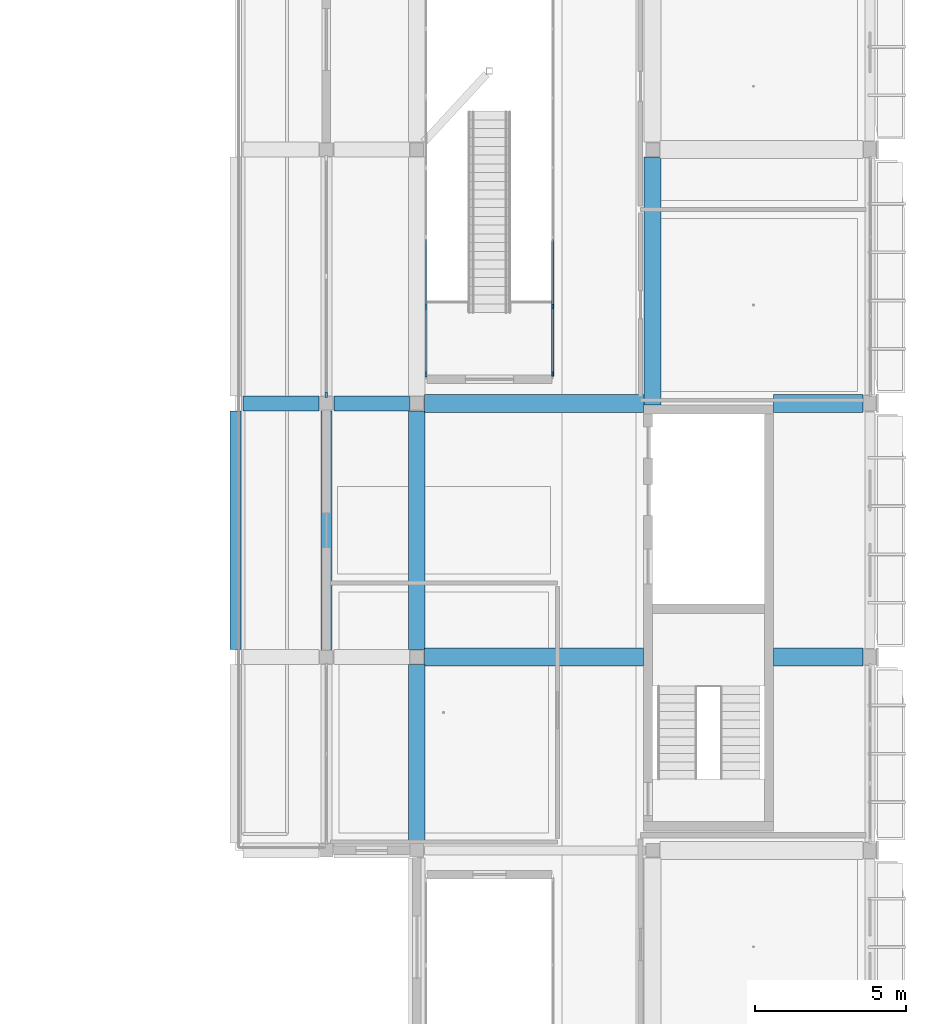
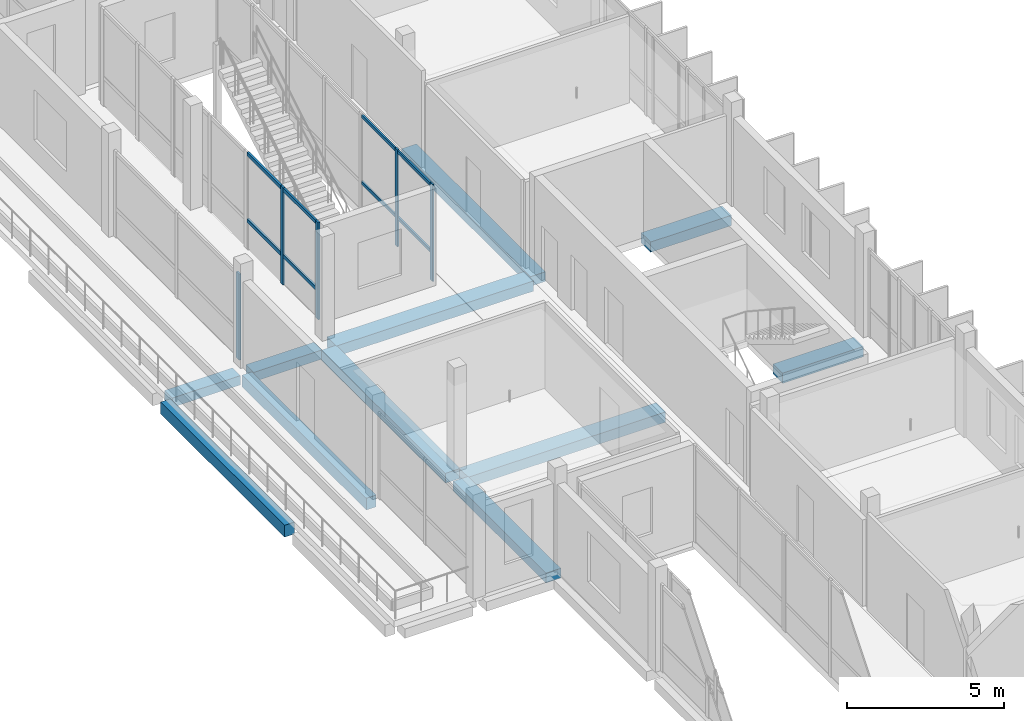
# One storey, part 33 of 86: 11 beams, 9 members, 3 elements without a shape of their own.
"""IFC4 building model written with IfcOpenShell, lengths in metres."""

from ifc_helpers import new_model, si_unit, derived_unit, direction, frame, origin, origin_2d, place, context, subcontext, project, spatial, rectangle, extrude, material, material_profile, profile_set, type_object, element, aggregate, save


model = new_model("IFC4")

# Units and contexts
model_context = context("Model", 3, precision=1e-05, world=origin(), true_north=direction((0.0, 1.0)))
body_context = subcontext(model_context, "Body", "Model", "MODEL_VIEW")
ifc_project = project(units=[si_unit("LENGTHUNIT", "METRE"), si_unit("AREAUNIT", "SQUARE_METRE"), si_unit("VOLUMEUNIT", "CUBIC_METRE"), si_unit("PLANEANGLEUNIT", "RADIAN"), si_unit("MASSUNIT", "GRAM", prefix="KILO"), derived_unit("THERMALTRANSMITTANCEUNIT", [(si_unit("POWERUNIT", "WATT"), 1), (si_unit("LENGTHUNIT", "METRE"), -2), (si_unit("THERMODYNAMICTEMPERATUREUNIT", "KELVIN"), -1)])], contexts=[model_context])

# Site, building, storey
site_placement = place(None, origin())
site = spatial("IfcSite", under=ifc_project, at=site_placement, CompositionType="ELEMENT")
building_placement = place(site_placement, origin())
building = spatial("IfcBuilding", under=site, at=building_placement, Name="Braskholm Square Health Centre", CompositionType="ELEMENT")
storey_placement = place(building_placement, frame((0.0, 0.0, 13.5)))
storey = spatial("IfcBuildingStorey", under=building, at=storey_placement, Name="L04", CompositionType="ELEMENT", Elevation=13.5)

# Curtain wall, members
ifc_material_1 = material(Name="Low-E triple insulating glass (VLT 0.64)", Category="glass")
curtain_wall_type_1 = type_object("IfcCurtainWallType", Name="UnitisedCurtainWall4800x3800", PredefinedType="NOTDEFINED", material=ifc_material_1)
curtain_wall_1_placement = place(storey_placement, origin())
curtain_wall_1 = element("IfcCurtainWall", 1, at=curtain_wall_1_placement, inside=storey, type_object=curtain_wall_type_1, Name="EC2 Court E unitised curtain wall CW-L04-0370", PredefinedType="NOTDEFINED")
ifc_material_2 = material(Name="Architectural bronze anodised aluminium", Category="aluminium")
ifc_material_profile_1 = material_profile(ifc_material_2, rectangle(XDim=0.06494140625, YDim=0.14990234375, at=origin_2d()), Name="ALU-65X150")
ifc_profile_set_1 = profile_set([ifc_material_profile_1], Name="Architectural bronze anodised aluminium")
member_type_1 = type_object("IfcMemberType", Name="CurtainWallMullion65x150", PredefinedType="MULLION", material=ifc_profile_set_1)
member_1_placement = place(storey_placement, frame((153.300048828125, 67.0009765625, 0.0), z_axis=(0.0, 0.0, 1.0), x_axis=(1.0, 0.0, 0.0)))
member_1 = element("IfcMember", 2, at=member_1_placement, type_object=member_type_1, Name="CW-L04-0370 vertical mullion 2", PredefinedType="MULLION", context=body_context, shape_type="SweptSolid", body=[
    extrude(rectangle(XDim=0.06494140625, YDim=0.14990234375, at=origin_2d()), origin(), (0.0, 0.0, 1.0), 3.77001953125),
])
member_2_placement = place(storey_placement, frame((153.300048828125, 64.76708984375, 0.0), z_axis=(0.0, 0.0, 1.0), x_axis=(1.0, 0.0, 0.0)))
member_2 = element("IfcMember", 3, at=member_2_placement, type_object=member_type_1, Name="CW-L04-0370 vertical mullion 3", PredefinedType="MULLION", context=body_context, shape_type="SweptSolid", body=[
    extrude(rectangle(XDim=0.06494140625, YDim=0.14990234375, at=origin_2d()), origin(), (0.0, 0.0, 1.0), 3.77001953125),
])

# Curtain wall, member
curtain_wall_type_2 = type_object("IfcCurtainWallType", Name="UnitisedCurtainWall6200x3650", PredefinedType="NOTDEFINED", material=ifc_material_1)
curtain_wall_2_placement = place(storey_placement, origin())
curtain_wall_2 = element("IfcCurtainWall", 4, at=curtain_wall_2_placement, inside=storey, type_object=curtain_wall_type_2, Name="East Valley unitised curtain wall CW-L04-0133", PredefinedType="NOTDEFINED")
ifc_material_profile_2 = material_profile(ifc_material_2, rectangle(XDim=0.074951171875, YDim=0.179931640625, at=origin_2d()), Name="ALU-75X180")
ifc_profile_set_2 = profile_set([ifc_material_profile_2], Name="Architectural bronze anodised aluminium")
member_type_2 = type_object("IfcMemberType", Name="CurtainWallMullion75x180", PredefinedType="MULLION", material=ifc_profile_set_2)
member_3_placement = place(storey_placement, frame((145.800048828125, 64.08740234375, 0.0), z_axis=(0.0, 0.0, 1.0), x_axis=(1.0, 0.0, 0.0)))
member_3 = element("IfcMember", 5, at=member_3_placement, type_object=member_type_2, Name="CW-L04-0133 vertical mullion 3", PredefinedType="MULLION", context=body_context, shape_type="SweptSolid", body=[
    extrude(rectangle(XDim=0.074951171875, YDim=0.179931640625, at=origin_2d()), origin(), (0.0, 0.0, 1.0), 3.340087890625),
])
aggregate(curtain_wall_2, [member_3])

# Curtain wall, members
curtain_wall_3_placement = place(storey_placement, origin())
curtain_wall_3 = element("IfcCurtainWall", 6, at=curtain_wall_3_placement, inside=storey, type_object=curtain_wall_type_1, Name="EC2 Court W unitised curtain wall CW-L04-0369", PredefinedType="NOTDEFINED")
member_4_placement = place(storey_placement, frame((149.10009765625, 64.76708984375, 0.0), z_axis=(0.0, 0.0, 1.0), x_axis=(1.0, 0.0, 0.0)))
member_4 = element("IfcMember", 7, at=member_4_placement, type_object=member_type_2, Name="CW-L04-0369 vertical mullion 1", PredefinedType="MULLION", context=body_context, shape_type="SweptSolid", body=[
    extrude(rectangle(XDim=0.074951171875, YDim=0.179931640625, at=origin_2d()), origin(), (0.0, 0.0, 1.0), 3.77001953125),
])
member_5_placement = place(storey_placement, frame((149.10009765625, 67.0009765625, 0.0), z_axis=(0.0, 0.0, 1.0), x_axis=(1.0, 0.0, 0.0)))
member_5 = element("IfcMember", 8, at=member_5_placement, type_object=member_type_2, Name="CW-L04-0369 vertical mullion 2", PredefinedType="MULLION", context=body_context, shape_type="SweptSolid", body=[
    extrude(rectangle(XDim=0.074951171875, YDim=0.179931640625, at=origin_2d()), origin(), (0.0, 0.0, 1.0), 3.77001953125),
])

# Member
ifc_material_profile_3 = material_profile(ifc_material_2, rectangle(XDim=0.06494140625, YDim=0.1201171875, at=origin_2d()), Name="ALU-65X120")
ifc_profile_set_3 = profile_set([ifc_material_profile_3], Name="Architectural bronze anodised aluminium")
member_type_3 = type_object("IfcMemberType", Name="CurtainWallTransom65x120", PredefinedType="USERDEFINED", material=ifc_profile_set_3)
member_6_placement = place(storey_placement, frame((153.300048828125, 69.217041015625, 1.1201171875), z_axis=(0.0, -1.0, 0.0), x_axis=(1.0, 0.0, 0.0)))
member_6 = element("IfcMember", 9, at=member_6_placement, type_object=member_type_3, Name="CW-L04-0370 horizontal transom 1", ObjectType="TRANSOM", PredefinedType="USERDEFINED", context=body_context, shape_type="SweptSolid", body=[
    extrude(rectangle(XDim=0.06494140625, YDim=0.1201171875, at=origin_2d()), origin(), (0.0, 0.0, 1.0), 4.43212890625),
])

member_7_placement = place(storey_placement, frame((153.300048828125, 69.217041015625, 3.699951171875), z_axis=(0.0, -1.0, 0.0), x_axis=(1.0, 0.0, 0.0)))
member_7 = element("IfcMember", 10, at=member_7_placement, type_object=member_type_3, Name="CW-L04-0370 horizontal transom 2", ObjectType="TRANSOM", PredefinedType="USERDEFINED", context=body_context, shape_type="SweptSolid", body=[
    extrude(rectangle(XDim=0.06494140625, YDim=0.1201171875, at=origin_2d()), origin(), (0.0, 0.0, 1.0), 4.43212890625),
])

aggregate(curtain_wall_1, [member_1, member_2, member_6, member_7])

ifc_material_profile_4 = material_profile(ifc_material_2, rectangle(XDim=0.074951171875, YDim=0.139892578125, at=origin_2d()), Name="ALU-75X140")
ifc_profile_set_4 = profile_set([ifc_material_profile_4], Name="Architectural bronze anodised aluminium")
member_type_4 = type_object("IfcMemberType", Name="CurtainWallTransom75x140", PredefinedType="USERDEFINED", material=ifc_profile_set_4)
member_8_placement = place(storey_placement, frame((149.10009765625, 64.784912109375, 1.1201171875), z_axis=(0.0, 1.0, 0.0), x_axis=(-1.0, 0.0, 0.0)))
member_8 = element("IfcMember", 11, at=member_8_placement, type_object=member_type_4, Name="CW-L04-0369 horizontal transom 1", ObjectType="TRANSOM", PredefinedType="USERDEFINED", context=body_context, shape_type="SweptSolid", body=[
    extrude(rectangle(XDim=0.074951171875, YDim=0.139892578125, at=origin_2d()), origin(), (0.0, 0.0, 1.0), 4.43212890625),
])

member_9_placement = place(storey_placement, frame((149.10009765625, 64.784912109375, 3.699951171875), z_axis=(0.0, 1.0, 0.0), x_axis=(-1.0, 0.0, 0.0)))
member_9 = element("IfcMember", 12, at=member_9_placement, type_object=member_type_4, Name="CW-L04-0369 horizontal transom 2", ObjectType="TRANSOM", PredefinedType="USERDEFINED", context=body_context, shape_type="SweptSolid", body=[
    extrude(rectangle(XDim=0.074951171875, YDim=0.139892578125, at=origin_2d()), origin(), (0.0, 0.0, 1.0), 4.43212890625),
])

aggregate(curtain_wall_3, [member_4, member_5, member_8, member_9])

# Beams
ifc_material_3 = material(Name="Concrete C35/45 (f'c = 35 MPa)", Category="concrete")
ifc_material_profile_5 = material_profile(ifc_material_3, rectangle(XDim=0.5, YDim=0.360107421875, at=origin_2d()), Name="RCB-500X360")
ifc_profile_set_5 = profile_set([ifc_material_profile_5], Name="Concrete C35/45 (f'c = 35 MPa)")
beam_type_1 = type_object("IfcBeamType", Name="PrimaryBandBeam500x360", PredefinedType="BEAM", material=ifc_profile_set_5)
for number, where, z_axis, x_axis, name in (
    (13, (143.050048828125, 63.800048828125, -0.429931640625), (1.0, 0.0, 0.0), (0.0, 1.0, 0.0), "Beam 18-19/K L04"),
    (14, (146.050048828125, 63.800048828125, -0.47998046875), (1.0, 0.0, 0.0), (0.0, 1.0, 0.0), "Beam 19-20/K L04"),
):
    element("IfcBeam", number, at=place(storey_placement, frame(where, z_axis=z_axis, x_axis=x_axis)), inside=storey, type_object=beam_type_1, Name=name, PredefinedType="BEAM", context=body_context, shape_type="SweptSolid", body=[
        extrude(rectangle(XDim=0.5, YDim=0.360107421875, at=origin_2d()), origin(), (0.0, 0.0, 1.0), 2.5),
    ])
ifc_material_profile_6 = material_profile(ifc_material_3, rectangle(XDim=0.550048828125, YDim=0.3798828125, at=origin_2d()), Name="RCB-550X380")
ifc_profile_set_6 = profile_set([ifc_material_profile_6], Name="Concrete C35/45 (f'c = 35 MPa)")
beam_type_2 = type_object("IfcBeamType", Name="PrimaryBandBeam550x380", PredefinedType="BEAM", material=ifc_profile_set_6)
beam_1_placement = place(storey_placement, frame((148.800048828125, 49.25, -0.489990234375), z_axis=(0.0, 1.0, 0.0), x_axis=(-1.0, 0.0, 0.0)))
element("IfcBeam", 15, at=beam_1_placement, inside=storey, type_object=beam_type_2, Name="Beam 20/H-J L04", PredefinedType="BEAM", context=body_context, shape_type="SweptSolid", body=[
    extrude(rectangle(XDim=0.550048828125, YDim=0.3798828125, at=origin_2d()), origin(), (0.0, 0.0, 1.0), 5.89990234375),
])
beam_2_placement = place(storey_placement, frame((148.800048828125, 55.64990234375, -0.489990234375), z_axis=(0.0, 1.0, 0.0), x_axis=(-1.0, 0.0, 0.0)))
element("IfcBeam", 16, at=beam_2_placement, inside=storey, type_object=beam_type_2, Name="Beam 20/J-K L04", PredefinedType="BEAM", context=body_context, shape_type="SweptSolid", body=[
    extrude(rectangle(XDim=0.550048828125, YDim=0.3798828125, at=origin_2d()), origin(), (0.0, 0.0, 1.0), 7.900146484375),
])
beam_3_placement = place(storey_placement, frame((156.60009765625, 63.75, -0.489990234375), z_axis=(0.0, 1.0, 0.0), x_axis=(-1.0, 0.0, 0.0)))
element("IfcBeam", 17, at=beam_3_placement, inside=storey, type_object=beam_type_2, Name="Beam 21/H-L L04", PredefinedType="BEAM", context=body_context, shape_type="SweptSolid", body=[
    extrude(rectangle(XDim=0.550048828125, YDim=0.3798828125, at=origin_2d()), origin(), (0.0, 0.0, 1.0), 8.199951171875),
])
ifc_material_profile_7 = material_profile(ifc_material_3, rectangle(XDim=0.60009765625, YDim=0.39990234375, at=origin_2d()), Name="RCB-600X400")
ifc_profile_set_7 = profile_set([ifc_material_profile_7], Name="Concrete C35/45 (f'c = 35 MPa)")
beam_type_3 = type_object("IfcBeamType", Name="PrimaryBandBeam600x400", PredefinedType="BEAM", material=ifc_profile_set_7)
beam_4_placement = place(storey_placement, frame((149.050048828125, 55.39990234375, -0.5), z_axis=(1.0, 0.0, 0.0), x_axis=(0.0, 1.0, 0.0)))
element("IfcBeam", 18, at=beam_4_placement, inside=storey, type_object=beam_type_3, Name="Beam 20-22/J L04", PredefinedType="BEAM", context=body_context, shape_type="SweptSolid", body=[
    extrude(rectangle(XDim=0.60009765625, YDim=0.39990234375, at=origin_2d()), origin(), (0.0, 0.0, 1.0), 7.25),
])
beam_5_placement = place(storey_placement, frame((160.60009765625, 55.39990234375, -0.5), z_axis=(1.0, 0.0, 0.0), x_axis=(0.0, 1.0, 0.0)))
element("IfcBeam", 19, at=beam_5_placement, inside=storey, type_object=beam_type_3, Name="Beam 20-22/J L04", PredefinedType="BEAM", context=body_context, shape_type="SweptSolid", body=[
    extrude(rectangle(XDim=0.60009765625, YDim=0.39990234375, at=origin_2d()), origin(), (0.0, 0.0, 1.0), 2.969970703125),
])
beam_6_placement = place(storey_placement, frame((149.050048828125, 63.800048828125, -0.5), z_axis=(1.0, 0.0, 0.0), x_axis=(0.0, 1.0, 0.0)))
element("IfcBeam", 20, at=beam_6_placement, inside=storey, type_object=beam_type_3, Name="Beam 20-22/K L04", PredefinedType="BEAM", context=body_context, shape_type="SweptSolid", body=[
    extrude(rectangle(XDim=0.60009765625, YDim=0.39990234375, at=origin_2d()), origin(), (0.0, 0.0, 1.0), 7.25),
])
beam_7_placement = place(storey_placement, frame((160.60009765625, 63.800048828125, -0.5), z_axis=(1.0, 0.0, 0.0), x_axis=(0.0, 1.0, 0.0)))
element("IfcBeam", 21, at=beam_7_placement, inside=storey, type_object=beam_type_3, Name="Beam 20-22/K L04", PredefinedType="BEAM", context=body_context, shape_type="SweptSolid", body=[
    extrude(rectangle(XDim=0.60009765625, YDim=0.39990234375, at=origin_2d()), origin(), (0.0, 0.0, 1.0), 2.969970703125),
])
ifc_material_4 = material(Name="Precast concrete C40/50 architectural white", Category="concrete")
ifc_material_profile_8 = material_profile(ifc_material_4, rectangle(XDim=0.360107421875, YDim=0.4599609375, at=origin_2d()), Name="RCB-360X460")
ifc_profile_set_8 = profile_set([ifc_material_profile_8], Name="Precast concrete C40/50 architectural white")
beam_type_4 = type_object("IfcBeamType", Name="SpandrelTerraceEdge360x460", PredefinedType="SPANDREL", material=ifc_profile_set_8)
for number, where, z_axis, x_axis, name in (
    (22, (142.800048828125, 55.64990234375, -0.47998046875), (0.0, 1.0, 0.0), (-1.0, 0.0, 0.0), "Beam 18/J-K L04"),
    (23, (145.800048828125, 55.64990234375, -0.47998046875), (0.0, 1.0, 0.0), (-1.0, 0.0, 0.0), "Beam 19/J-K L04"),
):
    element("IfcBeam", number, at=place(storey_placement, frame(where, z_axis=z_axis, x_axis=x_axis)), inside=storey, type_object=beam_type_4, Name=name, PredefinedType="SPANDREL", context=body_context, shape_type="SweptSolid", body=[
        extrude(rectangle(XDim=0.360107421875, YDim=0.4599609375, at=origin_2d()), origin(), (0.0, 0.0, 1.0), 7.900146484375),
    ])

save(model, "model.ifc")
